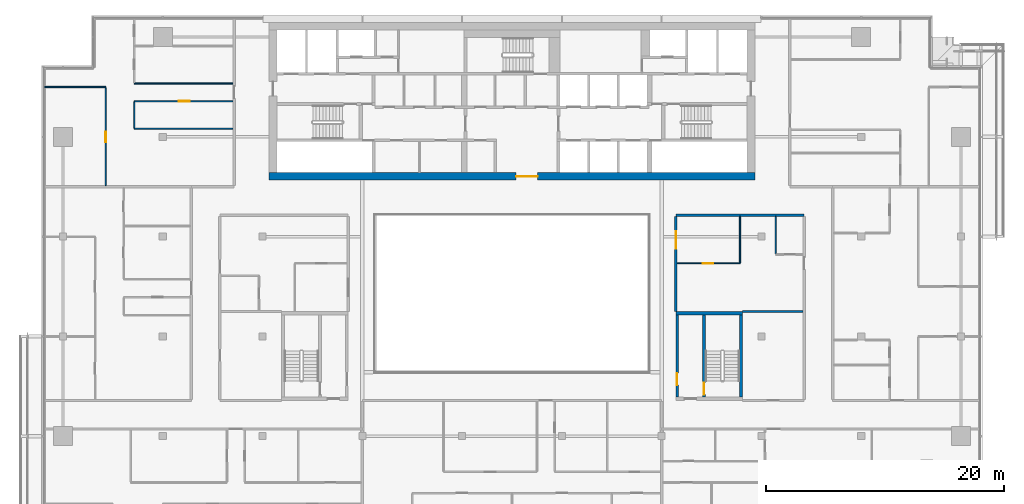
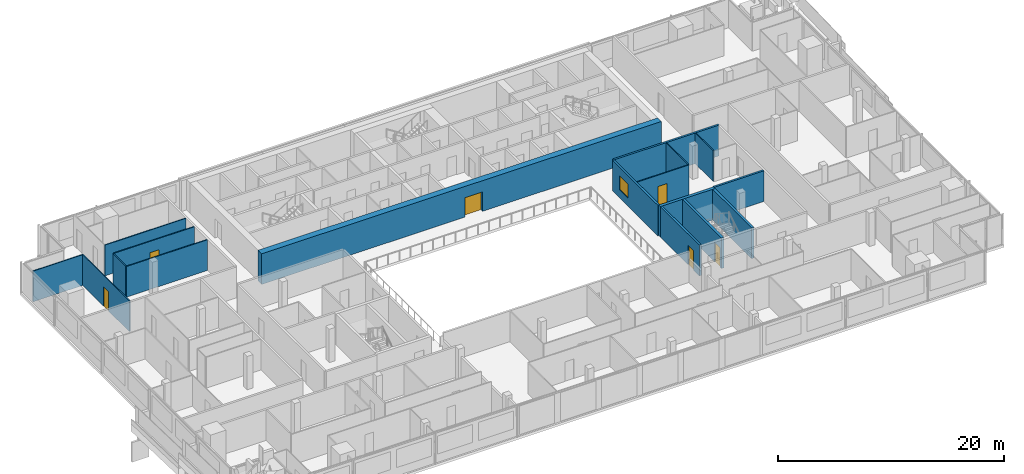
# One storey, part 19 of 30: 17 walls, 6 doors, 1 window, 7 openings.
"""IFC4 building model written with IfcOpenShell, lengths in metres."""

from ifc_helpers import new_model, si_unit, direction, frame, frame_2d, origin, place, context, subcontext, project, spatial, rectangle, extrude, material, layer, layer_set, type_object, element, fill, save


model = new_model("IFC4")

# Units and contexts
model_context = context("Model", 3, precision=1e-05, world=origin(), true_north=direction((0.0, 1.0)))
body_context = subcontext(model_context, "Body", "Model", "MODEL_VIEW")
ifc_project = project(units=[si_unit("LENGTHUNIT", "METRE"), si_unit("AREAUNIT", "SQUARE_METRE"), si_unit("VOLUMEUNIT", "CUBIC_METRE"), si_unit("PLANEANGLEUNIT", "RADIAN"), si_unit("MASSUNIT", "GRAM", prefix="KILO")], contexts=[model_context])

# Site, building, storey
site_placement = place(None, origin())
site = spatial("IfcSite", under=ifc_project, at=site_placement, CompositionType="ELEMENT")
building_placement = place(site_placement, origin())
building = spatial("IfcBuilding", under=site, at=building_placement, Name="Saffron Gate Tower", CompositionType="ELEMENT")
storey_placement = place(building_placement, frame((0.0, 0.0, 245.10009765625)))
storey = spatial("IfcBuildingStorey", under=building, at=storey_placement, Name="L60", CompositionType="ELEMENT", Elevation=245.10009765625)

# Wall, opening, door
ifc_material_1 = material(Name="Gypsum board partition on steel studs", Category="steel")
ifc_layer_1 = layer(ifc_material_1, 0.199951171875)
ifc_layer_set_1 = layer_set([ifc_layer_1], Name="CW10 Core partition 200")
wall_type_1 = type_object("IfcWallType", Name="CW10 Core partition 200", PredefinedType="PARTITIONING", material=ifc_layer_set_1)
wall_1_placement = place(storey_placement, frame((101.5, 43.5, 0.0), z_axis=(0.0, 0.0, 1.0), x_axis=(0.0, 1.0, 0.0)))
wall_1 = element("IfcWall", 1, at=wall_1_placement, inside=storey, type_object=wall_type_1, Name="Wall CW10-L60-E-2", PredefinedType="PARTITIONING", context=body_context, shape_type="SweptSolid", body=[
    extrude(rectangle(XDim=6.89990234375, YDim=0.199951171875, at=frame_2d((3.449951171875, 0.0))), origin(), (0.0, 0.0, 1.0), 3.31982421875),
])
opening_1_placement = place(wall_1_placement, frame((1.0, 0.0, 0.0)))
opening_1 = element("IfcOpeningElement", 2, at=opening_1_placement, cuts=wall_1, Name="Opening CR-22", PredefinedType="OPENING", context=body_context, shape_type="SweptSolid", body=[
    extrude(rectangle(XDim=1.0, YDim=2.10009765625, at=frame_2d((0.5, 1.050048828125))), frame((0.0, 0.10986328125, 0.0), z_axis=(0.0, -1.0, 0.0), x_axis=(1.0, 0.0, 0.0)), (0.0, 0.0, 1.0), 0.219970703125),
])
ifc_material_2 = material(Name="Steel fire door set", Category="steel")
door_type_1 = type_object("IfcDoorType", Name="CD4 Lobby door 1000x2100 EI 120", OperationType="NOTDEFINED", PredefinedType="DOOR", material=ifc_material_2)
door_1_placement = place(opening_1_placement, origin())
door_1 = element("IfcDoor", 3, at=door_1_placement, inside=storey, type_object=door_type_1, Name="DOOR CR-22", OperationType="SINGLE_SWING_LEFT", OverallHeight=2.10009765625, OverallWidth=1.0, PredefinedType="DOOR", context=body_context, shape_type="SweptSolid", body=[
    extrude(rectangle(XDim=1.0, YDim=2.10009765625, at=frame_2d((0.5, 1.050048828125))), frame((0.0, 0.02490234375, 0.0), z_axis=(0.0, -1.0, 0.0), x_axis=(1.0, 0.0, 0.0)), (0.0, 0.0, 1.0), 0.050048828125),
])
fill(opening_1, door_1)

ifc_material_3 = material(Name="Concrete C60", Category="concrete")
ifc_layer_2 = layer(ifc_material_3, 0.25)
ifc_layer_set_2 = layer_set([ifc_layer_2], Name="CW14 RC core wall 250 C60")
wall_type_2 = type_object("IfcWallType", Name="CW14 RC core wall 250 C60", PredefinedType="SOLIDWALL", material=ifc_layer_set_2)
wall_2_placement = place(storey_placement, frame((103.77490234375, 43.5, 0.0), z_axis=(0.0, 0.0, 1.0), x_axis=(0.0, 1.0, 0.0)))
wall_2 = element("IfcWall", 4, at=wall_2_placement, inside=storey, type_object=wall_type_2, Name="Wall CW14-L60-E-3", PredefinedType="SOLIDWALL", context=body_context, shape_type="SweptSolid", body=[
    extrude(rectangle(XDim=6.89990234375, YDim=0.25, at=frame_2d((3.449951171875, 0.0))), origin(), (0.0, 0.0, 1.0), 3.31982421875),
])
opening_2_placement = place(wall_2_placement, frame((0.199951171875, 0.0, 0.0)))
opening_2 = element("IfcOpeningElement", 5, at=opening_2_placement, cuts=wall_2, Name="Opening CR-23", PredefinedType="OPENING", context=body_context, shape_type="SweptSolid", body=[
    extrude(rectangle(XDim=1.0, YDim=2.10009765625, at=frame_2d((0.5, 1.050048828125))), frame((0.0, 0.135009765625, 0.0), z_axis=(0.0, -1.0, 0.0), x_axis=(1.0, 0.0, 0.0)), (0.0, 0.0, 1.0), 0.27001953125),
])
door_type_2 = type_object("IfcDoorType", Name="CD5 Stair door 1000x2100 EI 120", OperationType="NOTDEFINED", PredefinedType="DOOR", material=ifc_material_2)
door_2_placement = place(opening_2_placement, origin())
door_2 = element("IfcDoor", 6, at=door_2_placement, inside=storey, type_object=door_type_2, Name="DOOR CR-23", OperationType="SINGLE_SWING_RIGHT", OverallHeight=2.10009765625, OverallWidth=1.0, PredefinedType="DOOR", context=body_context, shape_type="SweptSolid", body=[
    extrude(rectangle(XDim=1.0, YDim=2.10009765625, at=frame_2d((0.5, 1.050048828125))), frame((0.0, 0.02490234375, 0.0), z_axis=(0.0, -1.0, 0.0), x_axis=(1.0, 0.0, 0.0)), (0.0, 0.0, 1.0), 0.050048828125),
])
fill(opening_2, door_2)

# Walls
wall_3_placement = place(storey_placement, frame((106.875, 43.5, 0.0), z_axis=(0.0, 0.0, 1.0), x_axis=(0.0, 1.0, 0.0)))
element("IfcWall", 7, at=wall_3_placement, inside=storey, type_object=wall_type_2, Name="Wall CW14-L60-E-4", PredefinedType="SOLIDWALL", context=body_context, shape_type="SweptSolid", body=[
    extrude(rectangle(XDim=6.89990234375, YDim=0.25, at=frame_2d((3.449951171875, 0.0))), origin(), (0.0, 0.0, 1.0), 3.31982421875),
])
ifc_layer_3 = layer(ifc_material_3, 0.300048828125)
ifc_layer_set_3 = layer_set([ifc_layer_3], Name="CW17 RC core wall 300 C60")
wall_type_3 = type_object("IfcWallType", Name="CW17 RC core wall 300 C60", PredefinedType="SOLIDWALL", material=ifc_layer_set_3)
wall_4_placement = place(storey_placement, frame((101.39990234375, 50.550048828125, 0.0), z_axis=(0.0, 0.0, 1.0), x_axis=(1.0, 0.0, 0.0)))
element("IfcWall", 8, at=wall_4_placement, inside=storey, type_object=wall_type_3, Name="Wall CW17-L60-E-5", PredefinedType="SOLIDWALL", context=body_context, shape_type="SweptSolid", body=[
    extrude(rectangle(XDim=5.60009765625, YDim=0.300048828125, at=frame_2d((2.800048828125, 0.0))), origin(), (0.0, 0.0, 1.0), 3.31982421875),
])

# Wall, opening, door
ifc_layer_4 = layer(ifc_material_3, 0.64990234375)
ifc_layer_set_4 = layer_set([ifc_layer_4], Name="CW20 RC core wall 650 C60")
wall_type_4 = type_object("IfcWallType", Name="CW20 RC core wall 650 C60", PredefinedType="SOLIDWALL", material=ifc_layer_set_4)
wall_5_placement = place(storey_placement, frame((67.14990234375, 62.074951171875, 0.0), z_axis=(0.0, 0.0, 1.0), x_axis=(1.0, 0.0, 0.0)))
wall_5 = element("IfcWall", 9, at=wall_5_placement, inside=storey, type_object=wall_type_4, Name="Wall CW20-L60-1", PredefinedType="SOLIDWALL", context=body_context, shape_type="SweptSolid", body=[
    extrude(rectangle(XDim=40.900146484375, YDim=0.64990234375, at=frame_2d((20.4501953125, 0.0))), origin(), (0.0, 0.0, 1.0), 3.31982421875),
])
opening_3_placement = place(wall_5_placement, frame((20.800048828125, 0.0, 0.0)))
opening_3 = element("IfcOpeningElement", 10, at=opening_3_placement, cuts=wall_5, Name="Opening CR-09", PredefinedType="OPENING", context=body_context, shape_type="SweptSolid", body=[
    extrude(rectangle(XDim=1.800048828125, YDim=2.10009765625, at=frame_2d((0.89990234375, 1.050048828125))), frame((0.0, 0.3349609375, 0.0), z_axis=(0.0, -1.0, 0.0), x_axis=(1.0, 0.0, 0.0)), (0.0, 0.0, 1.0), 0.669921875),
])
door_type_3 = type_object("IfcDoorType", Name="CD1 Core entrance door 1800x2100 EI 120", OperationType="NOTDEFINED", PredefinedType="DOOR", material=ifc_material_2)
door_3_placement = place(opening_3_placement, origin())
door_3 = element("IfcDoor", 11, at=door_3_placement, inside=storey, type_object=door_type_3, Name="DOOR CR-09", OperationType="DOUBLE_DOOR_SINGLE_SWING", OverallHeight=2.10009765625, OverallWidth=1.800048828125, PredefinedType="DOOR", context=body_context, shape_type="SweptSolid", body=[
    extrude(rectangle(XDim=1.800048828125, YDim=2.10009765625, at=frame_2d((0.89990234375, 1.050048828125))), frame((0.0, 0.02490234375, 0.0), z_axis=(0.0, -1.0, 0.0), x_axis=(1.0, 0.0, 0.0)), (0.0, 0.0, 1.0), 0.050048828125),
])
fill(opening_3, door_3)

ifc_material_4 = material(Name="Plasterboard on steel studs", Category="steel")
ifc_layer_5 = layer(ifc_material_4, 0.10009765625)
ifc_layer_set_5 = layer_set([ifc_layer_5], Name="PW1 Partition 100")
wall_type_5 = type_object("IfcWallType", Name="PW1 Partition 100", PredefinedType="PARTITIONING", material=ifc_layer_set_5)
wall_6_placement = place(storey_placement, frame((101.5, 54.75, 0.0), z_axis=(0.0, 0.0, 1.0), x_axis=(1.0, 0.0, 0.0)))
wall_6 = element("IfcWall", 12, at=wall_6_placement, inside=storey, type_object=wall_type_5, Name="Partition D4-36", PredefinedType="PARTITIONING", context=body_context, shape_type="SweptSolid", body=[
    extrude(rectangle(XDim=5.300048828125, YDim=0.10009765625, at=frame_2d((2.64990234375, 0.0))), origin(), (0.0, 0.0, 1.0), 3.31982421875),
])
opening_4_placement = place(wall_6_placement, frame((2.14990234375, 0.0, 0.0)))
opening_4 = element("IfcOpeningElement", 13, at=opening_4_placement, cuts=wall_6, Name="Opening D4-36", PredefinedType="OPENING", context=body_context, shape_type="SweptSolid", body=[
    extrude(rectangle(XDim=0.89990234375, YDim=2.10009765625, at=frame_2d((0.449951171875, 1.050048828125))), frame((0.0, 0.06005859375, 0.0), z_axis=(0.0, -1.0, 0.0), x_axis=(1.0, 0.0, 0.0)), (0.0, 0.0, 1.0), 0.1201171875),
])
ifc_material_5 = material(Name="Timber door set", Category="wood")
door_type_4 = type_object("IfcDoorType", Name="RD1 Room door 900x2100", OperationType="NOTDEFINED", PredefinedType="DOOR", material=ifc_material_5)
door_4_placement = place(opening_4_placement, origin())
door_4 = element("IfcDoor", 14, at=door_4_placement, inside=storey, type_object=door_type_4, Name="Door D4-36", OperationType="SINGLE_SWING_LEFT", OverallHeight=2.10009765625, OverallWidth=0.89990234375, PredefinedType="DOOR", context=body_context, shape_type="SweptSolid", body=[
    extrude(rectangle(XDim=0.89990234375, YDim=2.10009765625, at=frame_2d((0.449951171875, 1.050048828125))), frame((0.0, 0.02490234375, 0.0), z_axis=(0.0, -1.0, 0.0), x_axis=(1.0, 0.0, 0.0)), (0.0, 0.0, 1.0), 0.050048828125),
])
fill(opening_4, door_4)

# Wall
wall_7_placement = place(storey_placement, frame((55.800048828125, 66.0810546875, 0.0), z_axis=(0.0, 0.0, 1.0), x_axis=(1.0, 0.0, 0.0)))
element("IfcWall", 15, at=wall_7_placement, inside=storey, type_object=wall_type_5, Name="Partition D4-51", PredefinedType="PARTITIONING", context=body_context, shape_type="SweptSolid", body=[
    extrude(rectangle(XDim=8.300048828125, YDim=0.10009765625, at=frame_2d((4.14990234375, 0.0))), origin(), (0.0, 0.0, 1.0), 3.31982421875),
])

# Wall, opening, door
wall_8_placement = place(storey_placement, frame((64.10009765625, 68.39990234375, 0.0), z_axis=(0.0, 0.0, 1.0), x_axis=(-1.0, 0.0, 0.0)))
wall_8 = element("IfcWall", 16, at=wall_8_placement, inside=storey, type_object=wall_type_5, Name="Partition D4-52", PredefinedType="PARTITIONING", context=body_context, shape_type="SweptSolid", body=[
    extrude(rectangle(XDim=8.300048828125, YDim=0.10009765625, at=frame_2d((4.14990234375, 0.0))), origin(), (0.0, 0.0, 1.0), 3.31982421875),
])
opening_5_placement = place(wall_8_placement, frame((3.64990234375, 0.0, 0.0)))
opening_5 = element("IfcOpeningElement", 17, at=opening_5_placement, cuts=wall_8, Name="Opening D4-27", PredefinedType="OPENING", context=body_context, shape_type="SweptSolid", body=[
    extrude(rectangle(XDim=0.89990234375, YDim=2.10009765625, at=frame_2d((0.449951171875, 1.050048828125))), frame((0.0, 0.06005859375, 0.0), z_axis=(0.0, -1.0, 0.0), x_axis=(1.0, 0.0, 0.0)), (0.0, 0.0, 1.0), 0.1201171875),
])
door_5_placement = place(opening_5_placement, origin())
door_5 = element("IfcDoor", 18, at=door_5_placement, inside=storey, type_object=door_type_4, Name="Door D4-27", OperationType="SINGLE_SWING_LEFT", OverallHeight=2.10009765625, OverallWidth=0.89990234375, PredefinedType="DOOR", context=body_context, shape_type="SweptSolid", body=[
    extrude(rectangle(XDim=0.89990234375, YDim=2.10009765625, at=frame_2d((0.449951171875, 1.050048828125))), frame((0.0, 0.02490234375, 0.0), z_axis=(0.0, -1.0, 0.0), x_axis=(1.0, 0.0, 0.0)), (0.0, 0.0, 1.0), 0.050048828125),
])
fill(opening_5, door_5)

# Walls
wall_9_placement = place(storey_placement, frame((48.280029296875, 69.60009765625, 0.0), z_axis=(0.0, 0.0, 1.0), x_axis=(1.0, 0.0, 0.0)))
element("IfcWall", 19, at=wall_9_placement, inside=storey, type_object=wall_type_5, Name="Partition D4-53", PredefinedType="PARTITIONING", context=body_context, shape_type="SweptSolid", body=[
    extrude(rectangle(XDim=5.119873046875, YDim=0.10009765625, at=frame_2d((2.56005859375, 0.0))), origin(), (0.0, 0.0, 1.0), 3.31982421875),
])
wall_10_placement = place(storey_placement, frame((55.800048828125, 69.89990234375, 0.0), z_axis=(0.0, 0.0, 1.0), x_axis=(1.0, 0.0, 0.0)))
element("IfcWall", 20, at=wall_10_placement, inside=storey, type_object=wall_type_5, Name="Partition D4-55", PredefinedType="PARTITIONING", context=body_context, shape_type="SweptSolid", body=[
    extrude(rectangle(XDim=8.300048828125, YDim=0.10009765625, at=frame_2d((4.14990234375, 0.0))), origin(), (0.0, 0.0, 1.0), 3.31982421875),
])

# Wall, opening, door
wall_11_placement = place(storey_placement, frame((53.39990234375, 61.300048828125, 0.0), z_axis=(0.0, 0.0, 1.0), x_axis=(0.0, 1.0, 0.0)))
wall_11 = element("IfcWall", 21, at=wall_11_placement, inside=storey, type_object=wall_type_5, Name="Partition D4-60", PredefinedType="PARTITIONING", context=body_context, shape_type="SweptSolid", body=[
    extrude(rectangle(XDim=8.25, YDim=0.10009765625, at=frame_2d((4.125, 0.0))), origin(), (0.0, 0.0, 1.0), 3.31982421875),
])
opening_6_placement = place(wall_11_placement, frame((3.64990234375, 0.0, 0.0)))
opening_6 = element("IfcOpeningElement", 22, at=opening_6_placement, cuts=wall_11, Name="Opening D4-26", PredefinedType="OPENING", context=body_context, shape_type="SweptSolid", body=[
    extrude(rectangle(XDim=0.89990234375, YDim=2.10009765625, at=frame_2d((0.449951171875, 1.050048828125))), frame((0.0, 0.06005859375, 0.0), z_axis=(0.0, -1.0, 0.0), x_axis=(1.0, 0.0, 0.0)), (0.0, 0.0, 1.0), 0.1201171875),
])
door_6_placement = place(opening_6_placement, origin())
door_6 = element("IfcDoor", 23, at=door_6_placement, inside=storey, type_object=door_type_4, Name="Door D4-26", OperationType="SINGLE_SWING_LEFT", OverallHeight=2.10009765625, OverallWidth=0.89990234375, PredefinedType="DOOR", context=body_context, shape_type="SweptSolid", body=[
    extrude(rectangle(XDim=0.89990234375, YDim=2.10009765625, at=frame_2d((0.449951171875, 1.050048828125))), frame((0.0, 0.02490234375, 0.0), z_axis=(0.0, -1.0, 0.0), x_axis=(1.0, 0.0, 0.0)), (0.0, 0.0, 1.0), 0.050048828125),
])
fill(opening_6, door_6)

# Walls
wall_12_placement = place(storey_placement, frame((55.800048828125, 68.35009765625, 0.0), z_axis=(0.0, 0.0, 1.0), x_axis=(0.0, -1.0, 0.0)))
element("IfcWall", 24, at=wall_12_placement, inside=storey, type_object=wall_type_5, Name="Partition D4-65", PredefinedType="PARTITIONING", context=body_context, shape_type="SweptSolid", body=[
    extrude(rectangle(XDim=2.218994140625, YDim=0.10009765625, at=frame_2d((1.109375, 0.0))), origin(), (0.0, 0.0, 1.0), 3.31982421875),
])
wall_13_placement = place(storey_placement, frame((106.800048828125, 58.699951171875, 0.0), z_axis=(0.0, 0.0, 1.0), x_axis=(0.0, -1.0, 0.0)))
element("IfcWall", 25, at=wall_13_placement, inside=storey, type_object=wall_type_5, Name="Partition D4-98", PredefinedType="PARTITIONING", context=body_context, shape_type="SweptSolid", body=[
    extrude(rectangle(XDim=3.89990234375, YDim=0.10009765625, at=frame_2d((1.949951171875, 0.0))), origin(), (0.0, 0.0, 1.0), 3.31982421875),
])
wall_14_placement = place(storey_placement, frame((109.800048828125, 58.699951171875, 0.0), z_axis=(0.0, 0.0, 1.0), x_axis=(0.0, -1.0, 0.0)))
element("IfcWall", 26, at=wall_14_placement, inside=storey, type_object=wall_type_5, Name="Partition D4-101", PredefinedType="PARTITIONING", context=body_context, shape_type="SweptSolid", body=[
    extrude(rectangle(XDim=3.14990234375, YDim=0.10009765625, at=frame_2d((1.574951171875, 0.0))), origin(), (0.0, 0.0, 1.0), 3.31982421875),
])
ifc_material_6 = material(Name="Clay brick masonry, rendered", Category="masonry")
ifc_layer_6 = layer(ifc_material_6, 0.199951171875)
ifc_layer_set_6 = layer_set([ifc_layer_6], Name="PW2 Demising wall 200")
wall_type_6 = type_object("IfcWallType", Name="PW2 Demising wall 200", PredefinedType="PARTITIONING", material=ifc_layer_set_6)
wall_15_placement = place(storey_placement, frame((107.0, 50.699951171875, 0.0), z_axis=(0.0, 0.0, 1.0), x_axis=(1.0, 0.0, 0.0)))
element("IfcWall", 27, at=wall_15_placement, inside=storey, type_object=wall_type_6, Name="Wall D4-30", PredefinedType="PARTITIONING", context=body_context, shape_type="SweptSolid", body=[
    extrude(rectangle(XDim=5.10009765625, YDim=0.199951171875, at=frame_2d((2.550048828125, 0.0))), origin(), (0.0, 0.0, 1.0), 3.31982421875),
])
ifc_layer_7 = layer(ifc_material_6, 0.199951171875)
ifc_layer_set_7 = layer_set([ifc_layer_7], Name="PW3 Corridor wall 200")
wall_type_7 = type_object("IfcWallType", Name="PW3 Corridor wall 200", PredefinedType="PARTITIONING", material=ifc_layer_set_7)
wall_16_placement = place(storey_placement, frame((101.39990234375, 58.800048828125, 0.0), z_axis=(0.0, 0.0, 1.0), x_axis=(1.0, 0.0, 0.0)))
element("IfcWall", 28, at=wall_16_placement, inside=storey, type_object=wall_type_7, Name="Wall D4-44", PredefinedType="PARTITIONING", context=body_context, shape_type="SweptSolid", body=[
    extrude(rectangle(XDim=10.800048828125, YDim=0.199951171875, at=frame_2d((5.39990234375, 0.0))), origin(), (0.0, 0.0, 1.0), 3.31982421875),
])

# Wall, opening, window
wall_17_placement = place(storey_placement, frame((101.39990234375, 58.699951171875, 0.0), z_axis=(0.0, 0.0, 1.0), x_axis=(0.0, -1.0, 0.0)))
wall_17 = element("IfcWall", 29, at=wall_17_placement, inside=storey, type_object=wall_type_7, Name="Wall D4-95", PredefinedType="PARTITIONING", context=body_context, shape_type="SweptSolid", body=[
    extrude(rectangle(XDim=8.0, YDim=0.199951171875, at=frame_2d((4.0, 0.0))), origin(), (0.0, 0.0, 1.0), 3.31982421875),
])
opening_7_placement = place(wall_17_placement, frame((1.22509765625, 0.0, 0.89990234375)))
opening_7 = element("IfcOpeningElement", 30, at=opening_7_placement, cuts=wall_17, Name="Opening GW1", PredefinedType="OPENING", context=body_context, shape_type="SweptSolid", body=[
    extrude(rectangle(XDim=1.5, YDim=1.5, at=frame_2d((0.75, 0.75))), frame((0.0, 0.10986328125, 0.0), z_axis=(0.0, -1.0, 0.0), x_axis=(1.0, 0.0, 0.0)), (0.0, 0.0, 1.0), 0.219970703125),
])
ifc_material_7 = material(Name="Fire-resisting laminated glass in steel frame", Category="steel")
ifc_layer_8 = layer(ifc_material_7, 0.06005859375)
ifc_layer_set_8 = layer_set([ifc_layer_8], Name="GW1 Gallery window 1500x1500")
window_type = type_object("IfcWindowType", Name="GW1 Gallery window 1500x1500", PartitioningType="SINGLE_PANEL", PredefinedType="WINDOW", material=ifc_layer_set_8)
window_placement = place(opening_7_placement, origin())
window = element("IfcWindow", 31, at=window_placement, inside=storey, type_object=window_type, Name="GW1 window D4-J-B1", OverallHeight=1.5, OverallWidth=1.5, PartitioningType="SINGLE_PANEL", PredefinedType="WINDOW", context=body_context, shape_type="SweptSolid", body=[
    extrude(rectangle(XDim=1.5, YDim=1.5, at=frame_2d((0.75, 0.75))), frame((0.0, 0.030029296875, 0.0), z_axis=(0.0, -1.0, 0.0), x_axis=(1.0, 0.0, 0.0)), (0.0, 0.0, 1.0), 0.06005859375),
])
fill(opening_7, window)

save(model, "model.ifc")
